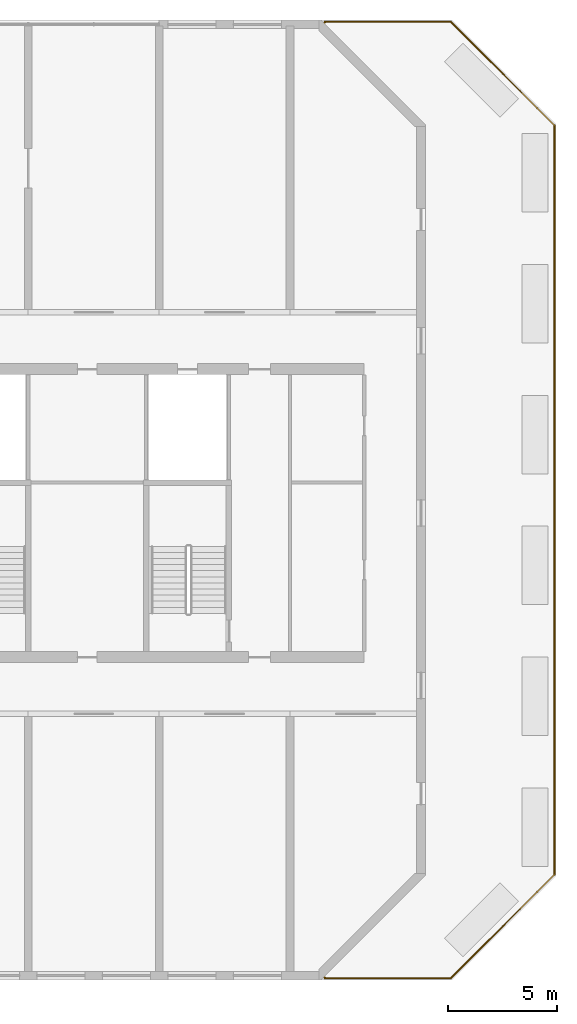
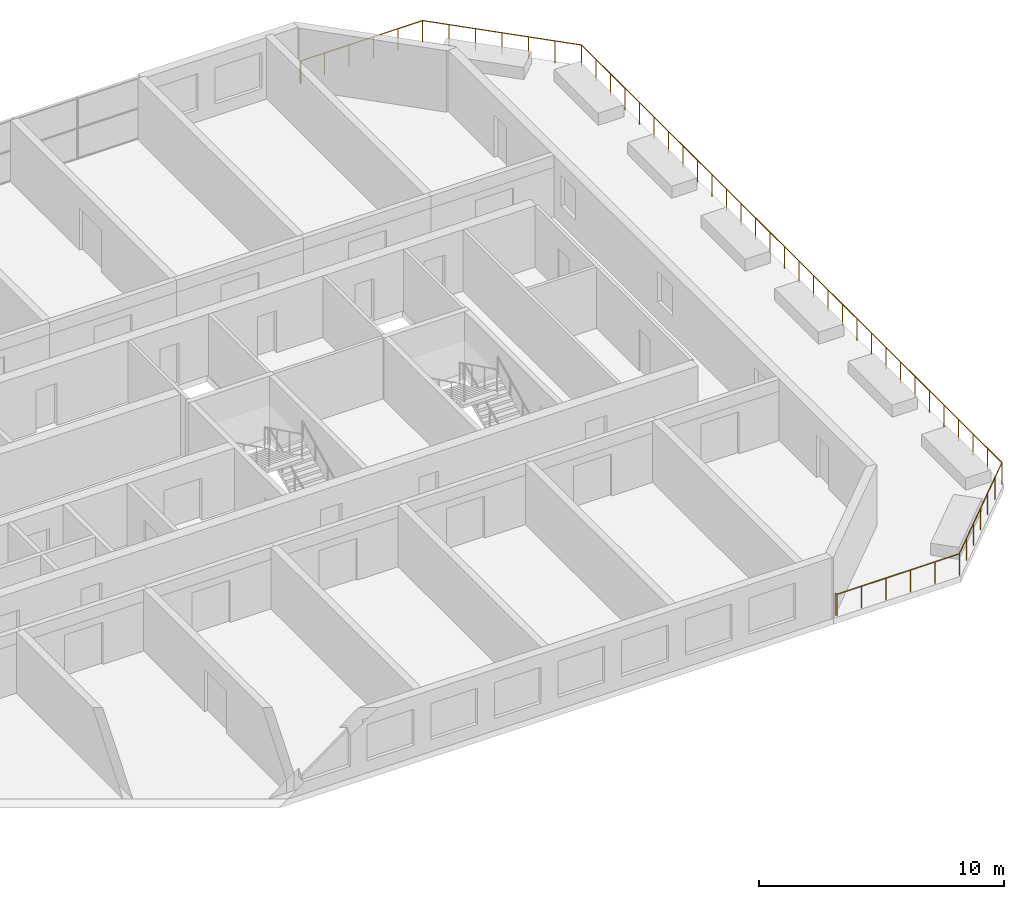
# One storey, part 18 of 18: 1 railing.
"""IFC4 building model written with IfcOpenShell, lengths in metres."""

import ifcopenshell
import ifcopenshell.guid

model = None  # the IFC model being written
_history = None  # IfcOwnerHistory: only IFC2X3 demands one
_inside = {}  # id of a spatial element -> (the spatial element, [elements in it])
_under = {}  # id of a project, library or spatial element -> (it, [spatial elements below it])
_declared = {}  # id of a project -> (the project, [libraries it declares])
_typed = {}  # id of a type object -> (the type object, [elements of that type])
_made_of = {}  # id of a material, layer set ... -> (it, [elements and type objects made of it])


def new_model(schema):
    """Start an empty IFC model of exactly this schema.

    Asked for "IFC4X3", IfcOpenShell would pick the latest addendum, in which some entities
    have other attributes; the version numbers below select the first issue.
    IFC2X3 requires an IfcOwnerHistory on every rooted entity: one is made here for all.
    """
    global model, _history
    if schema == "IFC4X3":
        model = ifcopenshell.file(schema_version=(4, 3, 0, 0))
    else:
        model = ifcopenshell.file(schema=schema)
    _inside.clear()
    _under.clear()
    _declared.clear()
    _typed.clear()
    _made_of.clear()
    _history = None
    if model.schema == "IFC2X3":
        org = make("IfcOrganization", Name="unknown")
        user = make(
            "IfcPersonAndOrganization",
            ThePerson=make("IfcPerson", FamilyName="unknown"),
            TheOrganization=org,
        )
        app = make(
            "IfcApplication",
            ApplicationDeveloper=org,
            Version="unknown",
            ApplicationFullName="unknown",
            ApplicationIdentifier="unknown",
        )
        _history = make(
            "IfcOwnerHistory",
            OwningUser=user,
            OwningApplication=app,
            ChangeAction="ADDED",
            CreationDate=0,
        )
    return model


def make(cls, **values):
    """One entity of the class cls with the attributes given. An attribute that is None is left unset."""
    return model.create_entity(
        cls, **{name: value for name, value in values.items() if value is not None}
    )


def rooted(cls, **values):
    """An entity with a GlobalId (a new one), such as an element, a storey or a relation."""
    return make(cls, GlobalId=ifcopenshell.guid.new(), OwnerHistory=_history, **values)


def si_unit(unit_type, name, prefix=None):
    """IfcSIUnit, for example si_unit("LENGTHUNIT", "METRE", prefix="MILLI")."""
    return make("IfcSIUnit", UnitType=unit_type, Prefix=prefix, Name=name)


def assignment(units):
    """IfcUnitAssignment: the units of a project."""
    return None if units is None else make("IfcUnitAssignment", Units=units)


def point(xyz):
    """IfcCartesianPoint."""
    return None if xyz is None else make("IfcCartesianPoint", Coordinates=xyz)


def direction(xyz):
    """IfcDirection."""
    return None if xyz is None else make("IfcDirection", DirectionRatios=xyz)


def frame(location, z_axis=None, x_axis=None):
    """IfcAxis2Placement3D, a coordinate frame: its origin and axes. An axis left out is left unset."""
    return make(
        "IfcAxis2Placement3D",
        Location=point(location),
        Axis=direction(z_axis),
        RefDirection=direction(x_axis),
    )


def frame_2d(location, x_axis=None):
    """IfcAxis2Placement2D, a coordinate frame in the plane: its origin and x axis."""
    return make(
        "IfcAxis2Placement2D", Location=point(location), RefDirection=direction(x_axis)
    )


def origin():
    """The frame at (0, 0, 0) with its axes left unset."""
    return frame((0.0, 0.0, 0.0))


def origin_2d():
    """The frame at (0, 0) in the plane with its x axis left unset."""
    return frame_2d((0.0, 0.0))


def place(relative_to, where):
    """IfcLocalPlacement: puts the frame where relative to a parent placement (None: the world)."""
    return make(
        "IfcLocalPlacement", PlacementRelTo=relative_to, RelativePlacement=where
    )


def context(
    kind, dimensions, precision=None, world=None, true_north=None, identifier=None
):
    """IfcGeometricRepresentationContext, for example the 3D "Model" context."""
    return make(
        "IfcGeometricRepresentationContext",
        ContextIdentifier=identifier,
        ContextType=kind,
        CoordinateSpaceDimension=dimensions,
        Precision=precision,
        WorldCoordinateSystem=world,
        TrueNorth=true_north,
    )


def subcontext(parent, identifier, kind, view, scale=None):
    """IfcGeometricRepresentationSubContext, for example "Body" below "Model"."""
    return make(
        "IfcGeometricRepresentationSubContext",
        ContextIdentifier=identifier,
        ContextType=kind,
        ParentContext=parent,
        TargetScale=scale,
        TargetView=view,
    )


def project(units=None, contexts=None):
    """IfcProject with its units and contexts."""
    return rooted(
        "IfcProject",
        Name="project",
        RepresentationContexts=contexts,
        UnitsInContext=assignment(units),
    )


def spatial(cls, under=None, at=None, **own):
    """A site, building, storey or space (cls), placed at a placement, below another one or the project."""
    s = rooted(cls, ObjectPlacement=at, **own)
    if under is not None:
        _under.setdefault(under.id(), (under, []))[1].append(s)
    return s


def profile(cls, at=None, kind="AREA", **sizes):
    """A parametric profile (cls). Its sizes go by their IFC names, for example OverallWidth=200.0."""
    return make(cls, ProfileType=kind, Position=at, **sizes)


def circle(**sizes):
    """IfcCircleProfileDef."""
    return profile("IfcCircleProfileDef", **sizes)


def extrude(swept, where, along, depth):
    """IfcExtrudedAreaSolid: the profile swept, set in the frame where, extruded along a direction by depth."""
    return make(
        "IfcExtrudedAreaSolid",
        SweptArea=swept,
        Position=where,
        ExtrudedDirection=direction(along),
        Depth=depth,
    )


def shape(context_of_items, identifier, shape_type, items):
    """IfcShapeRepresentation: the items that make up one representation, for example the "Body"."""
    return make(
        "IfcShapeRepresentation",
        ContextOfItems=context_of_items,
        RepresentationIdentifier=identifier,
        RepresentationType=shape_type,
        Items=items,
    )


def material(Name=None, Category=None):
    """IfcMaterial."""
    return make("IfcMaterial", Name=Name, Category=Category)


def made_of(thing, what):
    """Note that an element or type object is made of a material, layer set ...; save() writes the relation."""
    if what is not None:
        _made_of.setdefault(what.id(), (what, []))[1].append(thing)
    return thing


def type_object(cls, material=None, **own):
    """A type object (cls), such as IfcWallType, which elements share."""
    return made_of(rooted(cls, **own), material)


def element(
    cls,
    number,
    at=None,
    inside=None,
    cuts=None,
    type_object=None,
    material=None,
    context=None,
    identifier="Body",
    shape_type=None,
    held_by="IfcProductDefinitionShape",
    body=None,
    shapes=None,
    **own,
):
    """One element of the class cls, such as IfcWall. Its Tag is "e" and its number.

    at: its placement. inside: the storey or other place that contains it. cuts: it is an
    opening in that element (IfcRelVoidsElement). A single representation is given by context,
    identifier, shape_type and body (its items); several are given by shapes. held_by: the class
    of the entity that holds the representations. save() writes the other relations.
    """
    e = rooted(cls, Tag="e%d" % number, ObjectPlacement=at, **own)
    if body is not None:
        shapes = [shape(context, identifier, shape_type, body)]
    if shapes is not None:
        e.Representation = make(held_by, Representations=shapes)
    if inside is not None:
        _inside.setdefault(inside.id(), (inside, []))[1].append(e)
    if cuts is not None:
        rooted(
            "IfcRelVoidsElement", RelatingBuildingElement=cuts, RelatedOpeningElement=e
        )
    if type_object is not None:
        _typed.setdefault(type_object.id(), (type_object, []))[1].append(e)
    return made_of(e, material)


def aggregate(whole, parts):
    """IfcRelAggregates: a whole, such as a stair, and the parts it consists of."""
    return rooted("IfcRelAggregates", RelatingObject=whole, RelatedObjects=parts)


def save(model, path):
    """Write the relations noted so far, then the file.

    IfcRelAggregates (storeys below a building ...), IfcRelContainedInSpatialStructure (elements
    in a storey), IfcRelDefinesByType, IfcRelAssociatesMaterial and IfcRelDeclares: one each for
    every whole, place, type object, material and project.
    """
    for whole, parts in _under.values():
        aggregate(whole, parts)
    for where, things in _inside.values():
        rooted(
            "IfcRelContainedInSpatialStructure",
            RelatedElements=things,
            RelatingStructure=where,
        )
    for kind, things in _typed.values():
        rooted("IfcRelDefinesByType", RelatedObjects=things, RelatingType=kind)
    for what, things in _made_of.values():
        rooted("IfcRelAssociatesMaterial", RelatedObjects=things, RelatingMaterial=what)
    for by, libraries in _declared.values():
        rooted("IfcRelDeclares", RelatingContext=by, RelatedDefinitions=libraries)
    model.write(path)


model = new_model("IFC4")

# Units and contexts
model_context = context("Model", 3, precision=1e-05, world=origin(), true_north=direction((0.0, 1.0)))
body_context = subcontext(model_context, "Body", "Model", "MODEL_VIEW")
ifc_project = project(units=[si_unit("LENGTHUNIT", "METRE"), si_unit("AREAUNIT", "SQUARE_METRE"), si_unit("VOLUMEUNIT", "CUBIC_METRE"), si_unit("PLANEANGLEUNIT", "RADIAN"), si_unit("MASSUNIT", "GRAM", prefix="KILO")], contexts=[model_context])

# Site, building, storey
site_placement = place(None, origin())
site = spatial("IfcSite", under=ifc_project, at=site_placement, CompositionType="ELEMENT")
building_placement = place(site_placement, origin())
building = spatial("IfcBuilding", under=site, at=building_placement, Name="Poui Terraces", CompositionType="ELEMENT")
storey_placement = place(building_placement, frame((0.0, 0.0, 105.89990234375)))
storey = spatial("IfcBuildingStorey", under=building, at=storey_placement, Name="L29", CompositionType="ELEMENT", Elevation=105.89990234375)

# Railing
ifc_material = material(Name="Painted steel fretwork", Category="steel")
railing_type = type_object("IfcRailingType", Name="TERRACE GUARD 1100", PredefinedType="GUARDRAIL", material=ifc_material)
railing_placement = place(storey_placement, frame((85.556640625, 43.643310546875, 0.0)))
element("IfcRailing", 1, at=railing_placement, inside=storey, type_object=railing_type, Name="TERRACE GUARD", PredefinedType="GUARDRAIL", context=body_context, shape_type="SweptSolid", body=[
    extrude(circle(Radius=0.02392578125, at=origin_2d()), frame((0.0, 0.0, 1.076171875), z_axis=(0.705577907011, 0.708632356824, 0.0), x_axis=(-0.708632356824, 0.705577907011, 0.0)), (0.0, 0.0, 1.0), 0.079833984375),
    extrude(circle(Radius=0.02392578125, at=origin_2d()), frame((0.056396484375, 0.056640625, 1.076171875), z_axis=(-0.707106781187, 0.707106781187, 0.0), x_axis=(-0.707106781187, -0.707106781187, 0.0)), (0.0, 0.0, 1.0), 0.0283203125),
    extrude(circle(Radius=0.02392578125, at=origin_2d()), frame((0.036376953125, 0.07666015625, 1.076171875), z_axis=(1.0, 0.0, 0.0), x_axis=(0.0, 1.0, 0.0)), (0.0, 0.0, 1.0), 5.77392578125),
    extrude(circle(Radius=0.02392578125, at=origin_2d()), frame((5.810302734375, 0.07666015625, 1.076171875), z_axis=(0.707106781187, -0.707106781187, 0.0), x_axis=(0.707106781187, 0.707106781187, 0.0)), (0.0, 0.0, 1.0), 6.721923828125),
    extrude(circle(Radius=0.02392578125, at=origin_2d()), frame((10.5634765625, -4.676513671875, 1.076171875), z_axis=(0.0, -1.0, 0.0), x_axis=(1.0, 0.0, 0.0)), (0.0, 0.0, 1.0), 34.333740234375),
    extrude(circle(Radius=0.02392578125, at=origin_2d()), frame((10.5634765625, -39.01025390625, 1.076171875), z_axis=(-0.707106781187, -0.707106781187, 0.0), x_axis=(0.707106781187, -0.707106781187, 0.0)), (0.0, 0.0, 1.0), 6.721923828125),
    extrude(circle(Radius=0.02392578125, at=origin_2d()), frame((5.810302734375, -43.763427734375, 1.076171875), z_axis=(-1.0, 0.0, 0.0), x_axis=(0.0, -1.0, 0.0)), (0.0, 0.0, 1.0), 5.77392578125),
    extrude(circle(Radius=0.02392578125, at=origin_2d()), frame((0.036376953125, -43.763427734375, 1.076171875), z_axis=(0.707106781187, 0.707106781187, 0.0), x_axis=(-0.707106781187, 0.707106781187, 0.0)), (0.0, 0.0, 1.0), 0.0283203125),
    extrude(circle(Radius=0.02392578125, at=origin_2d()), frame((0.056396484375, -43.743408203125, 1.076171875), z_axis=(-0.705577907011, 0.708632356824, 0.0), x_axis=(-0.708632356824, -0.705577907011, 0.0)), (0.0, 0.0, 1.0), 0.079833984375),
    extrude(circle(Radius=0.02099609375, at=origin_2d()), origin(), (0.0, 0.0, 1.0), 1.052001953125),
    extrude(circle(Radius=0.02099609375, at=origin_2d()), frame((0.056396484375, 0.056640625, 0.0)), (0.0, 0.0, 1.0), 1.052001953125),
    extrude(circle(Radius=0.02099609375, at=origin_2d()), frame((0.036376953125, 0.07666015625, 0.0)), (0.0, 0.0, 1.0), 1.052001953125),
    extrude(circle(Radius=0.02099609375, at=origin_2d()), frame((1.191162109375, 0.07666015625, 0.0)), (0.0, 0.0, 1.0), 1.052001953125),
    extrude(circle(Radius=0.02099609375, at=origin_2d()), frame((2.345947265625, 0.07666015625, 0.0)), (0.0, 0.0, 1.0), 1.052001953125),
    extrude(circle(Radius=0.02099609375, at=origin_2d()), frame((3.500732421875, 0.07666015625, 0.0)), (0.0, 0.0, 1.0), 1.052001953125),
    extrude(circle(Radius=0.02099609375, at=origin_2d()), frame((4.655517578125, 0.07666015625, 0.0)), (0.0, 0.0, 1.0), 1.052001953125),
    extrude(circle(Radius=0.02099609375, at=origin_2d()), frame((5.810302734375, 0.07666015625, 0.0)), (0.0, 0.0, 1.0), 1.052001953125),
    extrude(circle(Radius=0.02099609375, at=origin_2d()), frame((6.6025390625, -0.715576171875, 0.0)), (0.0, 0.0, 1.0), 1.052001953125),
    extrude(circle(Radius=0.02099609375, at=origin_2d()), frame((7.394775390625, -1.5078125, 0.0)), (0.0, 0.0, 1.0), 1.052001953125),
    extrude(circle(Radius=0.02099609375, at=origin_2d()), frame((8.18701171875, -2.2998046875, 0.0)), (0.0, 0.0, 1.0), 1.052001953125),
    extrude(circle(Radius=0.02099609375, at=origin_2d()), frame((8.97900390625, -3.092041015625, 0.0)), (0.0, 0.0, 1.0), 1.052001953125),
    extrude(circle(Radius=0.02099609375, at=origin_2d()), frame((9.771240234375, -3.88427734375, 0.0)), (0.0, 0.0, 1.0), 1.052001953125),
    extrude(circle(Radius=0.02099609375, at=origin_2d()), frame((10.5634765625, -4.676513671875, 0.0)), (0.0, 0.0, 1.0), 1.052001953125),
    extrude(circle(Radius=0.02099609375, at=origin_2d()), frame((10.5634765625, -5.8603515625, 0.0)), (0.0, 0.0, 1.0), 1.052001953125),
    extrude(circle(Radius=0.02099609375, at=origin_2d()), frame((10.5634765625, -7.04443359375, 0.0)), (0.0, 0.0, 1.0), 1.052001953125),
    extrude(circle(Radius=0.02099609375, at=origin_2d()), frame((10.5634765625, -8.228271484375, 0.0)), (0.0, 0.0, 1.0), 1.052001953125),
    extrude(circle(Radius=0.02099609375, at=origin_2d()), frame((10.5634765625, -9.412109375, 0.0)), (0.0, 0.0, 1.0), 1.052001953125),
    extrude(circle(Radius=0.02099609375, at=origin_2d()), frame((10.5634765625, -10.59619140625, 0.0)), (0.0, 0.0, 1.0), 1.052001953125),
    extrude(circle(Radius=0.02099609375, at=origin_2d()), frame((10.5634765625, -11.780029296875, 0.0)), (0.0, 0.0, 1.0), 1.052001953125),
    extrude(circle(Radius=0.02099609375, at=origin_2d()), frame((10.5634765625, -12.9638671875, 0.0)), (0.0, 0.0, 1.0), 1.052001953125),
    extrude(circle(Radius=0.02099609375, at=origin_2d()), frame((10.5634765625, -14.14794921875, 0.0)), (0.0, 0.0, 1.0), 1.052001953125),
    extrude(circle(Radius=0.02099609375, at=origin_2d()), frame((10.5634765625, -15.331787109375, 0.0)), (0.0, 0.0, 1.0), 1.052001953125),
    extrude(circle(Radius=0.02099609375, at=origin_2d()), frame((10.5634765625, -16.515625, 0.0)), (0.0, 0.0, 1.0), 1.052001953125),
    extrude(circle(Radius=0.02099609375, at=origin_2d()), frame((10.5634765625, -17.69970703125, 0.0)), (0.0, 0.0, 1.0), 1.052001953125),
    extrude(circle(Radius=0.02099609375, at=origin_2d()), frame((10.5634765625, -18.883544921875, 0.0)), (0.0, 0.0, 1.0), 1.052001953125),
    extrude(circle(Radius=0.02099609375, at=origin_2d()), frame((10.5634765625, -20.0673828125, 0.0)), (0.0, 0.0, 1.0), 1.052001953125),
    extrude(circle(Radius=0.02099609375, at=origin_2d()), frame((10.5634765625, -21.25146484375, 0.0)), (0.0, 0.0, 1.0), 1.052001953125),
    extrude(circle(Radius=0.02099609375, at=origin_2d()), frame((10.5634765625, -22.435302734375, 0.0)), (0.0, 0.0, 1.0), 1.052001953125),
    extrude(circle(Radius=0.02099609375, at=origin_2d()), frame((10.5634765625, -23.619384765625, 0.0)), (0.0, 0.0, 1.0), 1.052001953125),
    extrude(circle(Radius=0.02099609375, at=origin_2d()), frame((10.5634765625, -24.80322265625, 0.0)), (0.0, 0.0, 1.0), 1.052001953125),
    extrude(circle(Radius=0.02099609375, at=origin_2d()), frame((10.5634765625, -25.987060546875, 0.0)), (0.0, 0.0, 1.0), 1.052001953125),
    extrude(circle(Radius=0.02099609375, at=origin_2d()), frame((10.5634765625, -27.171142578125, 0.0)), (0.0, 0.0, 1.0), 1.052001953125),
    extrude(circle(Radius=0.02099609375, at=origin_2d()), frame((10.5634765625, -28.35498046875, 0.0)), (0.0, 0.0, 1.0), 1.052001953125),
    extrude(circle(Radius=0.02099609375, at=origin_2d()), frame((10.5634765625, -29.538818359375, 0.0)), (0.0, 0.0, 1.0), 1.052001953125),
    extrude(circle(Radius=0.02099609375, at=origin_2d()), frame((10.5634765625, -30.722900390625, 0.0)), (0.0, 0.0, 1.0), 1.052001953125),
    extrude(circle(Radius=0.02099609375, at=origin_2d()), frame((10.5634765625, -31.90673828125, 0.0)), (0.0, 0.0, 1.0), 1.052001953125),
    extrude(circle(Radius=0.02099609375, at=origin_2d()), frame((10.5634765625, -33.090576171875, 0.0)), (0.0, 0.0, 1.0), 1.052001953125),
    extrude(circle(Radius=0.02099609375, at=origin_2d()), frame((10.5634765625, -34.274658203125, 0.0)), (0.0, 0.0, 1.0), 1.052001953125),
    extrude(circle(Radius=0.02099609375, at=origin_2d()), frame((10.5634765625, -35.45849609375, 0.0)), (0.0, 0.0, 1.0), 1.052001953125),
    extrude(circle(Radius=0.02099609375, at=origin_2d()), frame((10.5634765625, -36.642333984375, 0.0)), (0.0, 0.0, 1.0), 1.052001953125),
    extrude(circle(Radius=0.02099609375, at=origin_2d()), frame((10.5634765625, -37.826416015625, 0.0)), (0.0, 0.0, 1.0), 1.052001953125),
    extrude(circle(Radius=0.02099609375, at=origin_2d()), frame((10.5634765625, -39.01025390625, 0.0)), (0.0, 0.0, 1.0), 1.052001953125),
    extrude(circle(Radius=0.02099609375, at=origin_2d()), frame((9.771240234375, -39.802490234375, 0.0)), (0.0, 0.0, 1.0), 1.052001953125),
    extrude(circle(Radius=0.02099609375, at=origin_2d()), frame((8.97900390625, -40.5947265625, 0.0)), (0.0, 0.0, 1.0), 1.052001953125),
    extrude(circle(Radius=0.02099609375, at=origin_2d()), frame((8.18701171875, -41.38671875, 0.0)), (0.0, 0.0, 1.0), 1.052001953125),
    extrude(circle(Radius=0.02099609375, at=origin_2d()), frame((7.394775390625, -42.178955078125, 0.0)), (0.0, 0.0, 1.0), 1.052001953125),
    extrude(circle(Radius=0.02099609375, at=origin_2d()), frame((6.6025390625, -42.97119140625, 0.0)), (0.0, 0.0, 1.0), 1.052001953125),
    extrude(circle(Radius=0.02099609375, at=origin_2d()), frame((5.810302734375, -43.763427734375, 0.0)), (0.0, 0.0, 1.0), 1.052001953125),
    extrude(circle(Radius=0.02099609375, at=origin_2d()), frame((4.655517578125, -43.763427734375, 0.0)), (0.0, 0.0, 1.0), 1.052001953125),
    extrude(circle(Radius=0.02099609375, at=origin_2d()), frame((3.500732421875, -43.763427734375, 0.0)), (0.0, 0.0, 1.0), 1.052001953125),
    extrude(circle(Radius=0.02099609375, at=origin_2d()), frame((2.345947265625, -43.763427734375, 0.0)), (0.0, 0.0, 1.0), 1.052001953125),
    extrude(circle(Radius=0.02099609375, at=origin_2d()), frame((1.191162109375, -43.763427734375, 0.0)), (0.0, 0.0, 1.0), 1.052001953125),
    extrude(circle(Radius=0.02099609375, at=origin_2d()), frame((0.036376953125, -43.763427734375, 0.0)), (0.0, 0.0, 1.0), 1.052001953125),
    extrude(circle(Radius=0.02099609375, at=origin_2d()), frame((0.056396484375, -43.743408203125, 0.0)), (0.0, 0.0, 1.0), 1.052001953125),
    extrude(circle(Radius=0.02099609375, at=origin_2d()), frame((0.0, -43.686767578125, 0.0)), (0.0, 0.0, 1.0), 1.052001953125),
])

save(model, "model.ifc")
